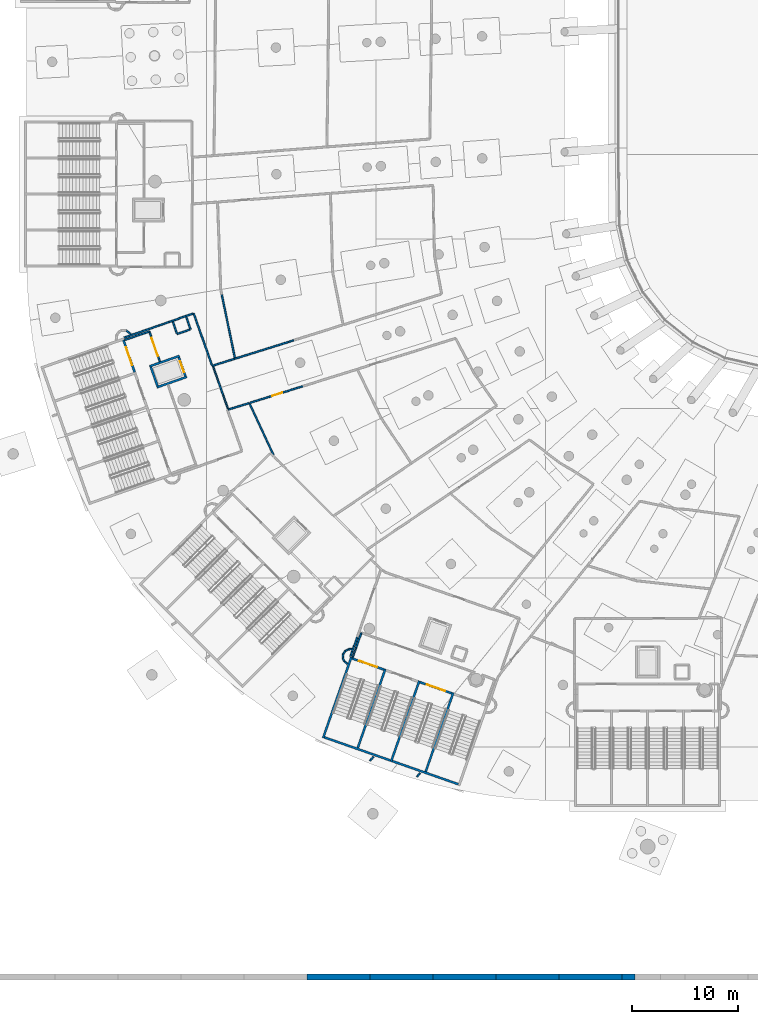
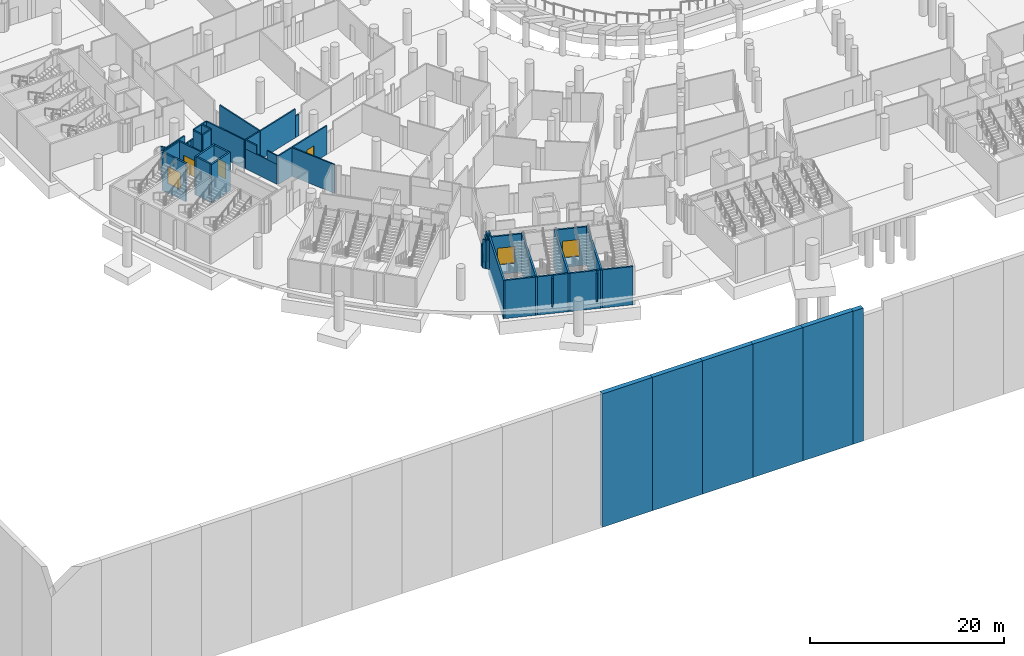
# One storey, part 37 of 142: 54 walls, 6 doors, 6 openings.
"""IFC4 building model written with IfcOpenShell, lengths in metres."""

from ifc_helpers import new_model, si_unit, direction, frame, frame_2d, origin, place, context, subcontext, project, spatial, rectangle, extrude, material, layer, layer_set, type_object, element, fill, save


model = new_model("IFC4")

# Units and contexts
model_context = context("Model", 3, precision=1e-05, world=origin(), true_north=direction((0.0, 1.0)))
body_context = subcontext(model_context, "Body", "Model", "MODEL_VIEW")
ifc_project = project(units=[si_unit("LENGTHUNIT", "METRE"), si_unit("AREAUNIT", "SQUARE_METRE"), si_unit("VOLUMEUNIT", "CUBIC_METRE"), si_unit("PLANEANGLEUNIT", "RADIAN"), si_unit("MASSUNIT", "GRAM", prefix="KILO")], contexts=[model_context])

# Site, building, storey
site_placement = place(None, origin())
site = spatial("IfcSite", under=ifc_project, at=site_placement, CompositionType="ELEMENT")
building_placement = place(site_placement, origin())
building = spatial("IfcBuilding", under=site, at=building_placement, Name="Meseta Stadium", CompositionType="ELEMENT")
storey_placement = place(building_placement, frame((0.0, 0.0, -4.0)))
storey = spatial("IfcBuildingStorey", under=building, at=storey_placement, Name="B1", CompositionType="ELEMENT", Elevation=-4.0)

# Walls
ifc_material_1 = material(Name="Concrete C40/50", Category="concrete")
ifc_layer_1 = layer(ifc_material_1, 0.199951171875)
ifc_layer_set_1 = layer_set([ifc_layer_1], Name="Core divider wall 200")
wall_type_1 = type_object("IfcWallType", Name="Core divider wall 200", PredefinedType="SHEAR", material=ifc_layer_set_1)
for number, where, z_axis, x_axis, name in (
    (1, (-65.789306640625, -96.260009765625, -1.199951171875), (0.0, 0.0, 1.0), (0.330280610426, 0.943882788474, 0.0), "Core 22 B1 stair A divider wall"),
    (2, (-59.370849609375, -98.505859375, -1.199951171875), (0.0, 0.0, 1.0), (0.330280610426, 0.943882788474, 0.0), "Core 22 B1 stair B divider wall"),
):
    element("IfcWall", number, at=place(storey_placement, frame(where, z_axis=z_axis, x_axis=x_axis)), inside=storey, type_object=wall_type_1, Name=name, PredefinedType="SHEAR", context=body_context, shape_type="SweptSolid", body=[
        extrude(rectangle(XDim=8.10009765625, YDim=0.199951171875, at=frame_2d((4.050048828125, 0.0))), origin(), (0.0, 0.0, 1.0), 4.800048828125),
    ])

# Wall, opening, door
ifc_material_2 = material(Name="Concrete C40/50", Category="concrete")
ifc_layer_2 = layer(ifc_material_2, 0.199951171875)
ifc_layer_set_2 = layer_set([ifc_layer_2], Name="Core shaft wall 200")
wall_type_2 = type_object("IfcWallType", Name="Core shaft wall 200", PredefinedType="SHEAR", material=ifc_layer_set_2)
wall_1_placement = place(storey_placement, frame((-87.85595703125, -57.547607421875, -1.199951171875), z_axis=(0.0, 0.0, 1.0), x_axis=(0.330268863922, -0.943886898693, 0.0)))
wall_1 = element("IfcWall", 3, at=wall_1_placement, inside=storey, type_object=wall_type_2, Name="Core 20 B1 stair A1 inner end wall", PredefinedType="SHEAR", context=body_context, shape_type="SweptSolid", body=[
    extrude(rectangle(XDim=3.2001953125, YDim=0.199951171875, at=frame_2d((1.60009765625, 0.0))), origin(), (0.0, 0.0, 1.0), 4.800048828125),
])
opening_1_placement = place(wall_1_placement, frame((0.699951171875, 0.0, 1.199951171875)))
opening_1 = element("IfcOpeningElement", 4, at=opening_1_placement, cuts=wall_1, Name="Opening D269", PredefinedType="OPENING", context=body_context, shape_type="SweptSolid", body=[
    extrude(rectangle(XDim=1.800048828125, YDim=2.10009765625, at=frame_2d((0.89990234375, 1.050048828125))), frame((0.0, 0.10986328125, 0.0), z_axis=(0.0, -1.0, 0.0), x_axis=(1.0, 0.0, 0.0)), (0.0, 0.0, 1.0), 0.219970703125),
])
ifc_material_3 = material(Name="Steel", Category="steel")
door_type_1 = type_object("IfcDoorType", Name="Stair door 1800x2100", OperationType="DOUBLE_DOOR_SINGLE_SWING", PredefinedType="DOOR", material=ifc_material_3)
door_1_placement = place(opening_1_placement, origin())
door_1 = element("IfcDoor", 5, at=door_1_placement, inside=storey, type_object=door_type_1, Name="Stair A1 door 20 B1", OperationType="DOUBLE_DOOR_SINGLE_SWING", OverallHeight=2.10009765625, OverallWidth=1.800048828125, PredefinedType="DOOR", context=body_context, shape_type="SweptSolid", body=[
    extrude(rectangle(XDim=1.800048828125, YDim=2.10009765625, at=frame_2d((0.89990234375, 1.050048828125))), frame((0.0, 0.02490234375, 0.0), z_axis=(0.0, -1.0, 0.0), x_axis=(1.0, 0.0, 0.0)), (0.0, 0.0, 1.0), 0.050048828125),
])
fill(opening_1, door_1)

# Walls
wall_2_placement = place(storey_placement, frame((-85.39990234375, -60.025390625, -1.199951171875), z_axis=(0.0, 0.0, 1.0), x_axis=(0.943900215722, 0.330230802259, 0.0)))
element("IfcWall", 6, at=wall_2_placement, inside=storey, type_object=wall_type_2, Name="Core 20 B1 lift shaft wall left", PredefinedType="SHEAR", context=body_context, shape_type="SweptSolid", body=[
    extrude(rectangle(XDim=3.0, YDim=0.199951171875, at=frame_2d((1.5, 0.0))), origin(), (0.0, 0.0, 1.0), 4.800048828125),
])
wall_3_placement = place(storey_placement, frame((-84.706298828125, -62.0078125, -1.199951171875), z_axis=(0.0, 0.0, 1.0), x_axis=(0.943874847782, 0.330303302625, 0.0)))
element("IfcWall", 7, at=wall_3_placement, inside=storey, type_object=wall_type_2, Name="Core 20 B1 lift shaft wall right", PredefinedType="SHEAR", context=body_context, shape_type="SweptSolid", body=[
    extrude(rectangle(XDim=3.000244140625, YDim=0.199951171875, at=frame_2d((1.5, 0.0))), origin(), (0.0, 0.0, 1.0), 4.800048828125),
])
wall_4_placement = place(storey_placement, frame((-85.272216796875, -60.0869140625, -1.199951171875), z_axis=(0.0, 0.0, 1.0), x_axis=(0.330224505327, -0.943902418729, 0.0)))
element("IfcWall", 8, at=wall_4_placement, inside=storey, type_object=wall_type_2, Name="Core 20 B1 lift shaft back wall", PredefinedType="SHEAR", context=body_context, shape_type="SweptSolid", body=[
    extrude(rectangle(XDim=1.900146484375, YDim=0.199951171875, at=frame_2d((0.9501953125, 0.0))), origin(), (0.0, 0.0, 1.0), 4.800048828125),
])

# Wall, opening, door
wall_5_placement = place(storey_placement, frame((-82.62939453125, -59.162109375, -1.199951171875), z_axis=(0.0, 0.0, 1.0), x_axis=(0.330224505327, -0.943902418729, 0.0)))
wall_5 = element("IfcWall", 9, at=wall_5_placement, inside=storey, type_object=wall_type_2, Name="Core 20 B1 lift shaft front wall", PredefinedType="SHEAR", context=body_context, shape_type="SweptSolid", body=[
    extrude(rectangle(XDim=1.900146484375, YDim=0.199951171875, at=frame_2d((0.9501953125, 0.0))), origin(), (0.0, 0.0, 1.0), 4.800048828125),
])
opening_2_placement = place(wall_5_placement, frame((0.39990234375, 0.0, 1.199951171875)))
opening_2 = element("IfcOpeningElement", 10, at=opening_2_placement, cuts=wall_5, Name="Opening LD109", PredefinedType="OPENING", context=body_context, shape_type="SweptSolid", body=[
    extrude(rectangle(XDim=1.10009765625, YDim=2.10009765625, at=frame_2d((0.550048828125, 1.050048828125))), frame((0.0, 0.10986328125, 0.0), z_axis=(0.0, -1.0, 0.0), x_axis=(1.0, 0.0, 0.0)), (0.0, 0.0, 1.0), 0.219970703125),
])
ifc_material_4 = material(Name="Steel", Category="steel")
door_type_2 = type_object("IfcDoorType", Name="Lift landing door 1100x2100", OperationType="SLIDING_TO_LEFT", PredefinedType="DOOR", material=ifc_material_4)
door_2_placement = place(opening_2_placement, origin())
door_2 = element("IfcDoor", 11, at=door_2_placement, inside=storey, type_object=door_type_2, Name="Lift landing door LD109", OperationType="SLIDING_TO_LEFT", OverallHeight=2.10009765625, OverallWidth=1.10009765625, PredefinedType="DOOR", context=body_context, shape_type="SweptSolid", body=[
    extrude(rectangle(XDim=1.10009765625, YDim=2.10009765625, at=frame_2d((0.550048828125, 1.050048828125))), frame((0.0, 0.02490234375, 0.0), z_axis=(0.0, -1.0, 0.0), x_axis=(1.0, 0.0, 0.0)), (0.0, 0.0, 1.0), 0.050048828125),
])
fill(opening_2, door_2)

# Walls
for number, where, z_axis, x_axis, name in (
    (12, (-68.998291015625, -95.136962890625, -1.199951171875), (0.0, 0.0, 1.0), (0.330263153216, 0.943888896866, 0.0), "Core 22 B1 stair wall A-side"),
    (13, (-62.580078125, -97.3828125, -1.199951171875), (0.0, 0.0, 1.0), (0.330290006891, 0.943879500438, 0.0), "Core 22 B1 stair wall shared"),
):
    element("IfcWall", number, at=place(storey_placement, frame(where, z_axis=z_axis, x_axis=x_axis)), inside=storey, type_object=wall_type_2, Name=name, PredefinedType="SHEAR", context=body_context, shape_type="SweptSolid", body=[
        extrude(rectangle(XDim=8.099853515625, YDim=0.199951171875, at=frame_2d((4.0498046875, 0.0))), origin(), (0.0, 0.0, 1.0), 4.800048828125),
    ])
for number, where, z_axis, x_axis, name in (
    (14, (-68.87109375, -95.07568359375, -1.199951171875), (0.0, 0.0, 1.0), (0.943880844925, -0.330286164688, 0.0), "Core 22 B1 stair A outer end wall"),
    (15, (-62.45263671875, -97.321533203125, -1.199951171875), (0.0, 0.0, 1.0), (0.943880844925, -0.330286164688, 0.0), "Core 22 B1 stair B outer end wall"),
):
    element("IfcWall", number, at=place(storey_placement, frame(where, z_axis=z_axis, x_axis=x_axis)), inside=storey, type_object=wall_type_2, Name=name, PredefinedType="SHEAR", context=body_context, shape_type="SweptSolid", body=[
        extrude(rectangle(XDim=6.60009765625, YDim=0.199951171875, at=frame_2d((3.300048828125, 0.0))), origin(), (0.0, 0.0, 1.0), 4.800048828125),
    ])

# Wall, opening, door
wall_6_placement = place(storey_placement, frame((-66.26171875, -87.618896484375, -1.199951171875), z_axis=(0.0, 0.0, 1.0), x_axis=(0.943878576031, -0.330292648585, 0.0)))
wall_6 = element("IfcWall", 16, at=wall_6_placement, inside=storey, type_object=wall_type_2, Name="Core 22 B1 stair A1 inner end wall", PredefinedType="SHEAR", context=body_context, shape_type="SweptSolid", body=[
    extrude(rectangle(XDim=3.199951171875, YDim=0.199951171875, at=frame_2d((1.60009765625, 0.0))), origin(), (0.0, 0.0, 1.0), 4.800048828125),
])
opening_3_placement = place(wall_6_placement, frame((0.699951171875, 0.0, 1.199951171875)))
opening_3 = element("IfcOpeningElement", 17, at=opening_3_placement, cuts=wall_6, Name="Opening D293", PredefinedType="OPENING", context=body_context, shape_type="SweptSolid", body=[
    extrude(rectangle(XDim=1.800048828125, YDim=2.10009765625, at=frame_2d((0.89990234375, 1.050048828125))), frame((0.0, 0.10986328125, 0.0), z_axis=(0.0, -1.0, 0.0), x_axis=(1.0, 0.0, 0.0)), (0.0, 0.0, 1.0), 0.219970703125),
])
door_3_placement = place(opening_3_placement, origin())
door_3 = element("IfcDoor", 18, at=door_3_placement, inside=storey, type_object=door_type_1, Name="Stair A1 door 22 B1", OperationType="DOUBLE_DOOR_SINGLE_SWING", OverallHeight=2.10009765625, OverallWidth=1.800048828125, PredefinedType="DOOR", context=body_context, shape_type="SweptSolid", body=[
    extrude(rectangle(XDim=1.800048828125, YDim=2.10009765625, at=frame_2d((0.89990234375, 1.050048828125))), frame((0.0, 0.02490234375, 0.0), z_axis=(0.0, -1.0, 0.0), x_axis=(1.0, 0.0, 0.0)), (0.0, 0.0, 1.0), 0.050048828125),
])
fill(opening_3, door_3)

wall_7_placement = place(storey_placement, frame((-59.843505859375, -89.864990234375, -1.199951171875), z_axis=(0.0, 0.0, 1.0), x_axis=(0.943886898693, -0.330268863922, 0.0)))
wall_7 = element("IfcWall", 19, at=wall_7_placement, inside=storey, type_object=wall_type_2, Name="Core 22 B1 stair B1 inner end wall", PredefinedType="SHEAR", context=body_context, shape_type="SweptSolid", body=[
    extrude(rectangle(XDim=3.2001953125, YDim=0.199951171875, at=frame_2d((1.60009765625, 0.0))), origin(), (0.0, 0.0, 1.0), 4.800048828125),
])
opening_4_placement = place(wall_7_placement, frame((0.699951171875, 0.0, 1.199951171875)))
opening_4 = element("IfcOpeningElement", 20, at=opening_4_placement, cuts=wall_7, Name="Opening D295", PredefinedType="OPENING", context=body_context, shape_type="SweptSolid", body=[
    extrude(rectangle(XDim=1.800048828125, YDim=2.10009765625, at=frame_2d((0.89990234375, 1.050048828125))), frame((0.0, 0.10986328125, 0.0), z_axis=(0.0, -1.0, 0.0), x_axis=(1.0, 0.0, 0.0)), (0.0, 0.0, 1.0), 0.219970703125),
])
door_4_placement = place(opening_4_placement, origin())
door_4 = element("IfcDoor", 21, at=door_4_placement, inside=storey, type_object=door_type_1, Name="Stair B1 door 22 B1", OperationType="DOUBLE_DOOR_SINGLE_SWING", OverallHeight=2.10009765625, OverallWidth=1.800048828125, PredefinedType="DOOR", context=body_context, shape_type="SweptSolid", body=[
    extrude(rectangle(XDim=1.800048828125, YDim=2.10009765625, at=frame_2d((0.89990234375, 1.050048828125))), frame((0.0, 0.02490234375, 0.0), z_axis=(0.0, -1.0, 0.0), x_axis=(1.0, 0.0, 0.0)), (0.0, 0.0, 1.0), 0.050048828125),
])
fill(opening_4, door_4)

# Walls
ifc_material_5 = material(Name="Masonry blockwork", Category="masonry")
ifc_layer_3 = layer(ifc_material_5, 0.14990234375)
ifc_layer_set_3 = layer_set([ifc_layer_3], Name="Partition 150")
wall_type_3 = type_object("IfcWallType", Name="Partition 150", PredefinedType="PARTITIONING", material=ifc_layer_set_3)
wall_8_placement = place(storey_placement, frame((-71.771484375, -57.560302734375, 0.0), z_axis=(0.0, 0.0, 1.0), x_axis=(-0.954228362244, -0.299078974001, 0.0)))
element("IfcWall", 22, at=wall_8_placement, inside=storey, type_object=wall_type_3, Name="Partition B1 B1-cell18-2-0", PredefinedType="PARTITIONING", context=body_context, shape_type="SweptSolid", body=[
    extrude(rectangle(XDim=0.484130859375, YDim=0.14990234375, at=frame_2d((0.2421875, 0.0))), origin(), (0.0, 0.0, 1.0), 2.699951171875),
])
wall_9_placement = place(storey_placement, frame((-72.2333984375, -57.705078125, 0.0), z_axis=(0.0, 0.0, 1.0), x_axis=(-0.954189100371, -0.299204212426, 0.0)))
element("IfcWall", 23, at=wall_9_placement, inside=storey, type_object=wall_type_3, Name="Partition B1 B1-cell18-2-0", PredefinedType="PARTITIONING", context=body_context, shape_type="SweptSolid", body=[
    extrude(rectangle(XDim=5.324951171875, YDim=0.14990234375, at=frame_2d((2.66259765625, 0.0))), origin(), (0.0, 0.0, 1.0), 3.60009765625),
])
wall_10_placement = place(storey_placement, frame((-77.329833984375, -59.224609375, 0.0), z_axis=(0.0, 0.0, 1.0), x_axis=(-0.20289695764, 0.979200094251, 0.0)))
element("IfcWall", 24, at=wall_10_placement, inside=storey, type_object=wall_type_3, Name="Partition B1 B1-cell18-2-0", PredefinedType="PARTITIONING", context=body_context, shape_type="SweptSolid", body=[
    extrude(rectangle(XDim=6.12353515625, YDim=0.14990234375, at=frame_2d((3.061767578125, 0.0))), origin(), (0.0, 0.0, 1.0), 3.60009765625),
])
wall_11_placement = place(storey_placement, frame((-77.3623046875, -59.313232421875, 0.0), z_axis=(0.0, 0.0, 1.0), x_axis=(-0.954198139725, -0.299175383588, 0.0)))
element("IfcWall", 25, at=wall_11_placement, inside=storey, type_object=wall_type_3, Name="Partition B1 B1-cell18-3-0", PredefinedType="PARTITIONING", context=body_context, shape_type="SweptSolid", body=[
    extrude(rectangle(XDim=2.222900390625, YDim=0.14990234375, at=frame_2d((1.111328125, 0.0))), origin(), (0.0, 0.0, 1.0), 3.60009765625),
])
wall_12_placement = place(storey_placement, frame((-79.508056640625, -59.907470703125, 0.0), z_axis=(0.0, 0.0, 1.0), x_axis=(-0.330291692253, 0.943878910681, 0.0)))
element("IfcWall", 26, at=wall_12_placement, inside=storey, type_object=wall_type_3, Name="Partition B1 B1-cell18-3-0", PredefinedType="PARTITIONING", context=body_context, shape_type="SweptSolid", body=[
    extrude(rectangle(XDim=5.1845703125, YDim=0.14990234375, at=frame_2d((2.59228515625, 0.0))), origin(), (0.0, 0.0, 1.0), 3.60009765625),
])
wall_13_placement = place(storey_placement, frame((-81.291259765625, -55.038818359375, 0.0), z_axis=(0.0, 0.0, 1.0), x_axis=(-0.943910062753, -0.330202655097, 0.0)))
element("IfcWall", 27, at=wall_13_placement, inside=storey, type_object=wall_type_3, Name="Partition B1 B1-cell18-3-0", PredefinedType="PARTITIONING", context=body_context, shape_type="SweptSolid", body=[
    extrude(rectangle(XDim=1.91357421875, YDim=0.14990234375, at=frame_2d((0.956787109375, 0.0))), origin(), (0.0, 0.0, 1.0), 3.60009765625),
])
for number, where, z_axis, x_axis, name in (
    (28, (-83.097412109375, -55.670654296875, 0.0), (0.0, 0.0, 1.0), (-0.943812413138, -0.330481661832, 0.0), "Partition B1 B1-cell18-3-0"),
    (29, (-83.566650390625, -55.8349609375, 0.0), (0.0, 0.0, 1.0), (-0.943965503635, -0.330044130303, 0.0), "Partition B1 B1-cell18-3-0"),
    (30, (-84.035888671875, -55.9990234375, 0.0), (0.0, 0.0, 1.0), (-0.943812413138, -0.330481661832, 0.0), "Partition B1 B1-cell18-3-0"),
):
    element("IfcWall", number, at=place(storey_placement, frame(where, z_axis=z_axis, x_axis=x_axis)), inside=storey, type_object=wall_type_3, Name=name, PredefinedType="PARTITIONING", context=body_context, shape_type="SweptSolid", body=[
        extrude(rectangle(XDim=0.4970703125, YDim=0.14990234375, at=frame_2d((0.24853515625, 0.0))), origin(), (0.0, 0.0, 1.0), 2.5),
    ])
wall_14_placement = place(storey_placement, frame((-84.505126953125, -56.163330078125, 0.0), z_axis=(0.0, 0.0, 1.0), x_axis=(-0.943878042103, -0.330294174389, 0.0)))
element("IfcWall", 31, at=wall_14_placement, inside=storey, type_object=wall_type_3, Name="Partition B1 B1-cell18-3-0", PredefinedType="PARTITIONING", context=body_context, shape_type="SweptSolid", body=[
    extrude(rectangle(XDim=3.47998046875, YDim=0.14990234375, at=frame_2d((1.739990234375, 0.0))), origin(), (0.0, 0.0, 1.0), 3.60009765625),
])
wall_15_placement = place(storey_placement, frame((-73.683837890625, -68.386962890625, 0.0), z_axis=(0.0, 0.0, 1.0), x_axis=(-0.42266047211, 0.906288102821, 0.0)))
element("IfcWall", 32, at=wall_15_placement, inside=storey, type_object=wall_type_3, Name="Partition B1 B1-cell19-2-0", PredefinedType="PARTITIONING", context=body_context, shape_type="SweptSolid", body=[
    extrude(rectangle(XDim=5.406005859375, YDim=0.14990234375, at=frame_2d((2.703125, 0.0))), origin(), (0.0, 0.0, 1.0), 3.60009765625),
])

# Wall, opening, door
wall_16_placement = place(storey_placement, frame((-75.896484375, -63.46484375, 0.0), z_axis=(0.0, 0.0, 1.0), x_axis=(0.954201223615, 0.299165547568, 0.0)))
wall_16 = element("IfcWall", 33, at=wall_16_placement, inside=storey, type_object=wall_type_3, Name="Partition B1 B1-cell19-2-0", PredefinedType="PARTITIONING", context=body_context, shape_type="SweptSolid", body=[
    extrude(rectangle(XDim=5.244140625, YDim=0.14990234375, at=frame_2d((2.6220703125, 0.0))), origin(), (0.0, 0.0, 1.0), 3.60009765625),
])
opening_5_placement = place(wall_16_placement, frame((2.199951171875, 0.0, 0.0)))
opening_5 = element("IfcOpeningElement", 34, at=opening_5_placement, cuts=wall_16, Name="Opening D489", PredefinedType="OPENING", context=body_context, shape_type="SweptSolid", body=[
    extrude(rectangle(XDim=1.0, YDim=2.10009765625, at=frame_2d((0.5, 1.050048828125))), frame((0.0, 0.0849609375, 0.0), z_axis=(0.0, -1.0, 0.0), x_axis=(1.0, 0.0, 0.0)), (0.0, 0.0, 1.0), 0.169921875),
])
ifc_material_6 = material(Name="Steel", Category="steel")
door_type_3 = type_object("IfcDoorType", Name="Fire door 1000x2100 EI2 60", OperationType="NOTDEFINED", PredefinedType="DOOR", material=ifc_material_6)
door_5_placement = place(opening_5_placement, origin())
door_5 = element("IfcDoor", 35, at=door_5_placement, inside=storey, type_object=door_type_3, Name="Door D489", OperationType="SINGLE_SWING_RIGHT", OverallHeight=2.10009765625, OverallWidth=1.0, PredefinedType="DOOR", context=body_context, shape_type="SweptSolid", body=[
    extrude(rectangle(XDim=1.0, YDim=2.10009765625, at=frame_2d((0.5, 1.050048828125))), frame((0.0, 0.02490234375, 0.0), z_axis=(0.0, -1.0, 0.0), x_axis=(1.0, 0.0, 0.0)), (0.0, 0.0, 1.0), 0.050048828125),
])
fill(opening_5, door_5)

# Walls
wall_17_placement = place(storey_placement, frame((-77.957763671875, -64.111083984375, 0.0), z_axis=(0.0, 0.0, 1.0), x_axis=(0.954206277419, 0.299149427767, 0.0)))
element("IfcWall", 36, at=wall_17_placement, inside=storey, type_object=wall_type_3, Name="Partition B1 B1-cell19-3-0", PredefinedType="PARTITIONING", context=body_context, shape_type="SweptSolid", body=[
    extrude(rectangle(XDim=2.03466796875, YDim=0.14990234375, at=frame_2d((1.017333984375, 0.0))), origin(), (0.0, 0.0, 1.0), 3.60009765625),
])
wall_18_placement = place(storey_placement, frame((-65.767578125, -85.600830078125, 0.0), z_axis=(0.0, 0.0, 1.0), x_axis=(-0.330248893855, -0.943893886042, 0.0)))
element("IfcWall", 37, at=wall_18_placement, inside=storey, type_object=wall_type_3, Name="Partition B1 B1-cell20-3-0", PredefinedType="PARTITIONING", context=body_context, shape_type="SweptSolid", body=[
    extrude(rectangle(XDim=0.964111328125, YDim=0.14990234375, at=frame_2d((0.48193359375, 0.0))), origin(), (0.0, 0.0, 1.0), 2.5),
])
wall_19_placement = place(storey_placement, frame((-66.0859375, -86.5107421875, 0.0), z_axis=(0.0, 0.0, 1.0), x_axis=(-0.330169965897, -0.943921497594, 0.0)))
element("IfcWall", 38, at=wall_19_placement, inside=storey, type_object=wall_type_3, Name="Partition B1 B1-cell20-3-0", PredefinedType="PARTITIONING", context=body_context, shape_type="SweptSolid", body=[
    extrude(rectangle(XDim=0.482177734375, YDim=0.14990234375, at=frame_2d((0.2412109375, 0.0))), origin(), (0.0, 0.0, 1.0), 2.5),
])
wall_20_placement = place(storey_placement, frame((-66.2451171875, -86.9658203125, 0.0), z_axis=(0.0, 0.0, 1.0), x_axis=(-0.330169965897, -0.943921497594, 0.0)))
element("IfcWall", 39, at=wall_20_placement, inside=storey, type_object=wall_type_3, Name="Partition B1 B1-cell20-3-0", PredefinedType="PARTITIONING", context=body_context, shape_type="SweptSolid", body=[
    extrude(rectangle(XDim=0.482177734375, YDim=0.14990234375, at=frame_2d((0.2412109375, 0.0))), origin(), (0.0, 0.0, 1.0), 3.60009765625),
])
wall_21_placement = place(storey_placement, frame((-64.24560546875, -96.906005859375, 0.0), z_axis=(0.0, 0.0, 1.0), x_axis=(-0.627771820286, -0.778397418839, 0.0)))
element("IfcWall", 40, at=wall_21_placement, inside=storey, type_object=wall_type_3, Name="Partition B1 B1-cell20-3-0", PredefinedType="PARTITIONING", context=body_context, shape_type="SweptSolid", body=[
    extrude(rectangle(XDim=0.49267578125, YDim=0.14990234375, at=frame_2d((0.246337890625, 0.0))), origin(), (0.0, 0.0, 1.0), 3.60009765625),
])
wall_22_placement = place(storey_placement, frame((-60.12353515625, -98.8046875, 0.0), z_axis=(0.0, 0.0, 1.0), x_axis=(0.628076009292, 0.778151994505, 0.0)))
element("IfcWall", 41, at=wall_22_placement, inside=storey, type_object=wall_type_3, Name="Partition B1 B1-cell21-3-0", PredefinedType="PARTITIONING", context=body_context, shape_type="SweptSolid", body=[
    extrude(rectangle(XDim=0.45703125, YDim=0.14990234375, at=frame_2d((0.228515625, 0.0))), origin(), (0.0, 0.0, 1.0), 3.60009765625),
])
wall_23_placement = place(storey_placement, frame((-83.201171875, -55.78759765625, 0.0), z_axis=(0.0, 0.0, 1.0), x_axis=(0.330294835497, -0.943877810759, 0.0)))
element("IfcWall", 42, at=wall_23_placement, inside=storey, type_object=wall_type_3, Name="Pressurisation shaft wall B1 core 20", PredefinedType="PARTITIONING", context=body_context, shape_type="SweptSolid", body=[
    extrude(rectangle(XDim=1.173828125, YDim=0.14990234375, at=frame_2d((0.5869140625, 0.0))), origin(), (0.0, 0.0, 1.0), 3.60009765625),
])
wall_24_placement = place(storey_placement, frame((-82.78857421875, -56.96630859375, 0.0), z_axis=(0.0, 0.0, 1.0), x_axis=(0.943927004722, 0.330154221169, 0.0)))
element("IfcWall", 43, at=wall_24_placement, inside=storey, type_object=wall_type_3, Name="Pressurisation shaft wall B1 core 20", PredefinedType="PARTITIONING", context=body_context, shape_type="SweptSolid", body=[
    extrude(rectangle(XDim=1.27490234375, YDim=0.14990234375, at=frame_2d((0.637451171875, 0.0))), origin(), (0.0, 0.0, 1.0), 3.60009765625),
])
wall_25_placement = place(storey_placement, frame((-81.514404296875, -56.5205078125, 0.0), z_axis=(0.0, 0.0, 1.0), x_axis=(-0.33032430547, 0.943867497701, 0.0)))
element("IfcWall", 44, at=wall_25_placement, inside=storey, type_object=wall_type_3, Name="Pressurisation shaft wall B1 core 20", PredefinedType="PARTITIONING", context=body_context, shape_type="SweptSolid", body=[
    extrude(rectangle(XDim=1.2490234375, YDim=0.14990234375, at=frame_2d((0.62451171875, 0.0))), origin(), (0.0, 0.0, 1.0), 3.60009765625),
])

# Wall, opening, door
wall_26_placement = place(storey_placement, frame((-84.42138671875, -59.566650390625, 0.0), z_axis=(0.0, 0.0, 1.0), x_axis=(-0.330281895816, 0.943882338693, 0.0)))
wall_26 = element("IfcWall", 45, at=wall_26_placement, inside=storey, type_object=wall_type_3, Name="Stair vestibule wall B1 core 20", PredefinedType="PARTITIONING", context=body_context, shape_type="SweptSolid", body=[
    extrude(rectangle(XDim=3.01513671875, YDim=0.14990234375, at=frame_2d((1.507568359375, 0.0))), origin(), (0.0, 0.0, 1.0), 3.60009765625),
])
opening_6_placement = place(wall_26_placement, frame((0.550048828125, 0.0, 0.0)))
opening_6 = element("IfcOpeningElement", 46, at=opening_6_placement, cuts=wall_26, Name="Opening D734", PredefinedType="OPENING", context=body_context, shape_type="SweptSolid", body=[
    extrude(rectangle(XDim=1.800048828125, YDim=2.10009765625, at=frame_2d((0.89990234375, 1.050048828125))), frame((0.0, 0.0849609375, 0.0), z_axis=(0.0, -1.0, 0.0), x_axis=(1.0, 0.0, 0.0)), (0.0, 0.0, 1.0), 0.169921875),
])
ifc_material_7 = material(Name="Steel", Category="steel")
door_type_4 = type_object("IfcDoorType", Name="Fire double door 1800x2100 EI2 60", OperationType="DOUBLE_DOOR_SINGLE_SWING", PredefinedType="DOOR", material=ifc_material_7)
door_6_placement = place(opening_6_placement, origin())
door_6 = element("IfcDoor", 47, at=door_6_placement, inside=storey, type_object=door_type_4, Name="Stair vestibule door B1 core 20", OperationType="DOUBLE_DOOR_SINGLE_SWING", OverallHeight=2.10009765625, OverallWidth=1.800048828125, PredefinedType="DOOR", context=body_context, shape_type="SweptSolid", body=[
    extrude(rectangle(XDim=1.800048828125, YDim=2.10009765625, at=frame_2d((0.89990234375, 1.050048828125))), frame((0.0, 0.02490234375, 0.0), z_axis=(0.0, -1.0, 0.0), x_axis=(1.0, 0.0, 0.0)), (0.0, 0.0, 1.0), 0.050048828125),
])
fill(opening_6, door_6)

# Walls
wall_27_placement = place(storey_placement, frame((-85.417236328125, -56.720703125, 0.0), z_axis=(0.0, 0.0, 1.0), x_axis=(-0.943873796239, -0.330306307498, 0.0)))
element("IfcWall", 48, at=wall_27_placement, inside=storey, type_object=wall_type_3, Name="Stair vestibule wall B1 core 20", PredefinedType="PARTITIONING", context=body_context, shape_type="SweptSolid", body=[
    extrude(rectangle(XDim=2.465087890625, YDim=0.14990234375, at=frame_2d((1.232421875, 0.0))), origin(), (0.0, 0.0, 1.0), 3.60009765625),
])
wall_28_placement = place(storey_placement, frame((-77.98291015625, -64.039306640625, 0.0), z_axis=(0.0, 0.0, 1.0), x_axis=(-0.330276109597, 0.943884363378, 0.0)))
element("IfcWall", 49, at=wall_28_placement, inside=storey, type_object=wall_type_3, Name="Stair vestibule wall B1 core 20", PredefinedType="PARTITIONING", context=body_context, shape_type="SweptSolid", body=[
    extrude(rectangle(XDim=4.24365234375, YDim=0.14990234375, at=frame_2d((2.121826171875, 0.0))), origin(), (0.0, 0.0, 1.0), 2.5),
])
wall_29_placement = place(storey_placement, frame((-77.98291015625, -64.039306640625, 2.5), z_axis=(0.0, 0.0, 1.0), x_axis=(-0.330231540275, 0.943899957521, 0.0)))
element("IfcWall", 50, at=wall_29_placement, inside=storey, type_object=wall_type_3, Name="Stair vestibule wall B1 core 20", PredefinedType="PARTITIONING", context=body_context, shape_type="SweptSolid", body=[
    extrude(rectangle(XDim=1.3720703125, YDim=0.14990234375, at=frame_2d((0.68603515625, 0.0))), origin(), (0.0, 0.0, 1.0), 1.10009765625),
])
wall_30_placement = place(storey_placement, frame((-78.910400390625, -61.388916015625, 2.5), z_axis=(0.0, 0.0, 1.0), x_axis=(-0.330221659301, 0.943903414407, 0.0)))
element("IfcWall", 51, at=wall_30_placement, inside=storey, type_object=wall_type_3, Name="Stair vestibule wall B1 core 20", PredefinedType="PARTITIONING", context=body_context, shape_type="SweptSolid", body=[
    extrude(rectangle(XDim=1.435791015625, YDim=0.14990234375, at=frame_2d((0.7177734375, 0.0))), origin(), (0.0, 0.0, 1.0), 1.10009765625),
])
wall_31_placement = place(storey_placement, frame((-87.188232421875, -56.96533203125, 0.0), z_axis=(0.0, 0.0, 1.0), x_axis=(-0.767430441351, 0.64113221545, 0.0)))
element("IfcWall", 52, at=wall_31_placement, inside=storey, type_object=wall_type_3, Name="Stair vestibule wall B1 core 20", PredefinedType="PARTITIONING", context=body_context, shape_type="SweptSolid", body=[
    extrude(rectangle(XDim=0.50634765625, YDim=0.14990234375, at=frame_2d((0.253173828125, 0.0))), origin(), (0.0, 0.0, 1.0), 3.60009765625),
])
wall_32_placement = place(storey_placement, frame((-65.3876953125, -85.19677734375, 0.0), z_axis=(0.0, 0.0, 1.0), x_axis=(-0.330306307498, -0.943873796239, 0.0)))
element("IfcWall", 53, at=wall_32_placement, inside=storey, type_object=wall_type_3, Name="Stair vestibule wall B1 core 22", PredefinedType="PARTITIONING", context=body_context, shape_type="SweptSolid", body=[
    extrude(rectangle(XDim=2.465087890625, YDim=0.14990234375, at=frame_2d((1.232421875, 0.0))), origin(), (0.0, 0.0, 1.0), 2.5),
])
wall_33_placement = place(storey_placement, frame((-65.876220703125, -86.5927734375, 2.5), z_axis=(0.0, 0.0, 1.0), x_axis=(-0.330306307498, -0.943873796239, 0.0)))
element("IfcWall", 54, at=wall_33_placement, inside=storey, type_object=wall_type_3, Name="Stair vestibule wall B1 core 22", PredefinedType="PARTITIONING", context=body_context, shape_type="SweptSolid", body=[
    extrude(rectangle(XDim=0.986083984375, YDim=0.14990234375, at=frame_2d((0.4931640625, 0.0))), origin(), (0.0, 0.0, 1.0), 1.10009765625),
])
wall_34_placement = place(storey_placement, frame((-66.898193359375, -86.905517578125, 0.0), z_axis=(0.0, 0.0, 1.0), x_axis=(-0.550458715596, -0.834862385321, 0.0)))
element("IfcWall", 55, at=wall_34_placement, inside=storey, type_object=wall_type_3, Name="Stair vestibule wall B1 core 22", PredefinedType="PARTITIONING", context=body_context, shape_type="SweptSolid", body=[
    extrude(rectangle(XDim=0.37255859375, YDim=0.14990234375, at=frame_2d((0.186279296875, 0.0))), origin(), (0.0, 0.0, 1.0), 2.5),
])
wall_35_placement = place(storey_placement, frame((-67.103271484375, -87.216552734375, 0.0), z_axis=(0.0, 0.0, 1.0), x_axis=(-0.092765957297, -0.99568794166, 0.0)))
element("IfcWall", 56, at=wall_35_placement, inside=storey, type_object=wall_type_3, Name="Stair vestibule wall B1 core 22", PredefinedType="PARTITIONING", context=body_context, shape_type="SweptSolid", body=[
    extrude(rectangle(XDim=0.355224609375, YDim=0.14990234375, at=frame_2d((0.177734375, 0.0))), origin(), (0.0, 0.0, 1.0), 2.5),
])
wall_36_placement = place(storey_placement, frame((-67.13623046875, -87.5703125, 0.0), z_axis=(0.0, 0.0, 1.0), x_axis=(0.38916723311, -0.921167120925, 0.0)))
element("IfcWall", 57, at=wall_36_placement, inside=storey, type_object=wall_type_3, Name="Stair vestibule wall B1 core 22", PredefinedType="PARTITIONING", context=body_context, shape_type="SweptSolid", body=[
    extrude(rectangle(XDim=0.353759765625, YDim=0.14990234375, at=frame_2d((0.1767578125, 0.0))), origin(), (0.0, 0.0, 1.0), 3.60009765625),
])
wall_37_placement = place(storey_placement, frame((-66.99853515625, -87.896240234375, 0.0), z_axis=(0.0, 0.0, 1.0), x_axis=(0.784898851152, -0.619623912919, 0.0)))
element("IfcWall", 58, at=wall_37_placement, inside=storey, type_object=wall_type_3, Name="Stair vestibule wall B1 core 22", PredefinedType="PARTITIONING", context=body_context, shape_type="SweptSolid", body=[
    extrude(rectangle(XDim=0.388427734375, YDim=0.14990234375, at=frame_2d((0.1943359375, 0.0))), origin(), (0.0, 0.0, 1.0), 3.60009765625),
])
wall_38_placement = place(storey_placement, frame((-66.2890625, -86.73828125, 0.0), z_axis=(0.0, 0.0, 1.0), x_axis=(-0.998545685706, -0.053912091012, 0.0)))
element("IfcWall", 59, at=wall_38_placement, inside=storey, type_object=wall_type_3, Name="Stair vestibule wall B1 core 22", PredefinedType="PARTITIONING", context=body_context, shape_type="SweptSolid", body=[
    extrude(rectangle(XDim=0.3125, YDim=0.14990234375, at=frame_2d((0.15625, 0.0))), origin(), (0.0, 0.0, 1.0), 2.5),
])
wall_39_placement = place(storey_placement, frame((-66.60107421875, -86.755126953125, 0.0), z_axis=(0.0, 0.0, 1.0), x_axis=(-0.878295748424, -0.478117745227, 0.0)))
element("IfcWall", 60, at=wall_39_placement, inside=storey, type_object=wall_type_3, Name="Stair vestibule wall B1 core 22", PredefinedType="PARTITIONING", context=body_context, shape_type="SweptSolid", body=[
    extrude(rectangle(XDim=0.372802734375, YDim=0.14990234375, at=frame_2d((0.1865234375, 0.0))), origin(), (0.0, 0.0, 1.0), 2.5),
])
ifc_material_8 = material(Name="Concrete C30/37", Category="concrete")
ifc_layer_4 = layer(ifc_material_8, 0.550048828125)
ifc_layer_set_4 = layer_set([ifc_layer_4], Name="Site retaining wall 550")
wall_type_4 = type_object("IfcWallType", Name="Site retaining wall 550", PredefinedType="SOLIDWALL", material=ifc_layer_set_4)
for number, where, z_axis, x_axis, name in (
    (61, (-70.523681640625, -117.72509765625, -13.0), (0.0, 0.0, 1.0), (1.0, 0.0, 0.0), "Site retaining wall 12"),
    (62, (-64.5712890625, -117.72509765625, -13.0), (0.0, 0.0, 1.0), (1.0, 0.0, 0.0), "Site retaining wall 13"),
    (63, (-58.618896484375, -117.72509765625, -13.0), (0.0, 0.0, 1.0), (1.0, 0.0, 0.0), "Site retaining wall 14"),
    (64, (-52.66650390625, -117.72509765625, -13.0), (0.0, 0.0, 1.0), (1.0, 0.0, 0.0), "Site retaining wall 15"),
    (65, (-46.714111328125, -117.72509765625, -13.0), (0.0, 0.0, 1.0), (1.0, 0.0, 0.0), "Site retaining wall 16"),
):
    element("IfcWall", number, at=place(storey_placement, frame(where, z_axis=z_axis, x_axis=x_axis)), inside=storey, type_object=wall_type_4, Name=name, PredefinedType="SOLIDWALL", context=body_context, shape_type="SweptSolid", body=[
        extrude(rectangle(XDim=5.952392578125, YDim=0.550048828125, at=frame_2d((2.97607421875, 0.0))), origin(), (0.0, 0.0, 1.0), 16.75),
    ])
wall_40_placement = place(storey_placement, frame((-40.76171875, -117.72509765625, -13.0), z_axis=(0.0, 0.0, 1.0), x_axis=(1.0, 0.0, 0.0)))
element("IfcWall", 66, at=wall_40_placement, inside=storey, type_object=wall_type_4, Name="Site retaining wall 17", PredefinedType="SOLIDWALL", context=body_context, shape_type="SweptSolid", body=[
    extrude(rectangle(XDim=1.228515625, YDim=0.550048828125, at=frame_2d((0.6142578125, 0.0))), origin(), (0.0, 0.0, 1.0), 16.699951171875),
])

save(model, "model.ifc")
